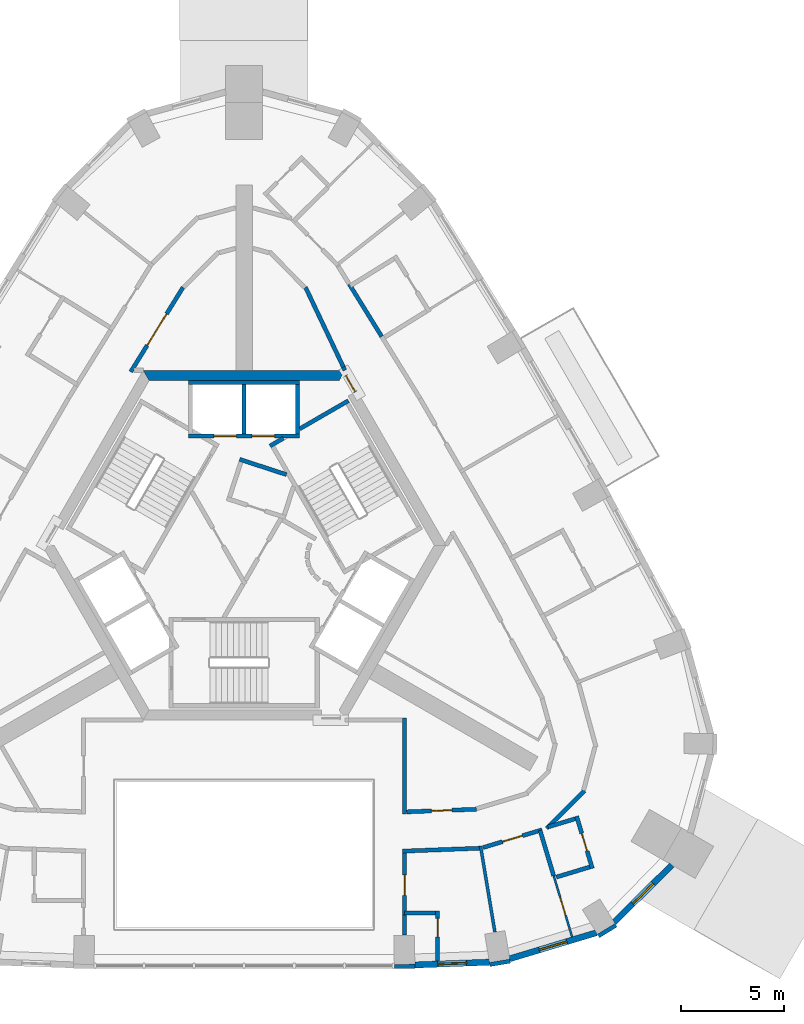
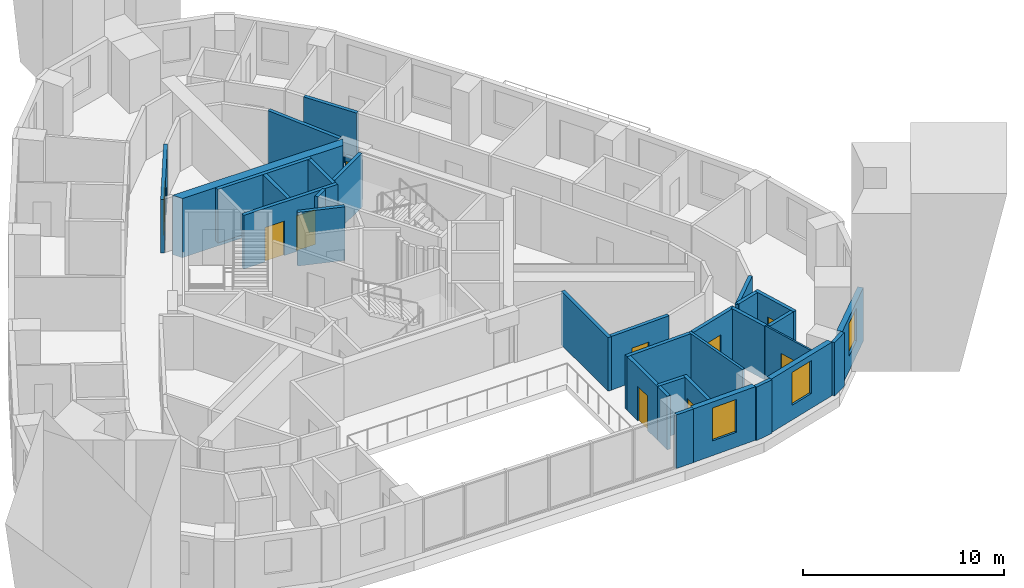
# One storey, part 6 of 11: 34 walls, 10 doors, 3 windows, 13 openings.
"""IFC4 building model written with IfcOpenShell, lengths in metres."""

from ifc_helpers import new_model, si_unit, direction, frame, frame_2d, origin, place, context, subcontext, project, spatial, polyline, rectangle, outline, extrude, material, layer, layer_set, type_object, element, fill, save


model = new_model("IFC4")

# Units and contexts
model_context = context("Model", 3, precision=1e-05, world=origin(), true_north=direction((0.0, 1.0)))
body_context = subcontext(model_context, "Body", "Model", "MODEL_VIEW")
ifc_project = project(units=[si_unit("LENGTHUNIT", "METRE"), si_unit("AREAUNIT", "SQUARE_METRE"), si_unit("VOLUMEUNIT", "CUBIC_METRE"), si_unit("PLANEANGLEUNIT", "RADIAN"), si_unit("MASSUNIT", "GRAM", prefix="KILO")], contexts=[model_context])

# Site, building, storey
site_placement = place(None, origin())
site = spatial("IfcSite", under=ifc_project, at=site_placement, CompositionType="ELEMENT")
building_placement = place(site_placement, origin())
building = spatial("IfcBuilding", under=site, at=building_placement, Name="Entoto Arch Interchange Tower", CompositionType="ELEMENT")
storey_placement = place(building_placement, frame((0.0, 0.0, 297.199951171875)))
storey = spatial("IfcBuildingStorey", under=building, at=storey_placement, Name="L69", CompositionType="ELEMENT", Elevation=297.199951171875)

# Wall, opening, door
ifc_material_1 = material(Name="Reinforced concrete C40/50", Category="concrete")
ifc_layer_1 = layer(ifc_material_1, 0.199951171875)
ifc_layer_set_1 = layer_set([ifc_layer_1], Name="Reinforced concrete C40/50")
wall_type_1 = type_object("IfcWallType", Name="CORE GAP INFILL WALL", PredefinedType="PARTITIONING", material=ifc_layer_set_1)
wall_1_placement = place(storey_placement, frame((5.39892578125, 9.947998046875, 0.0), z_axis=(0.0, 0.0, 1.0), x_axis=(-0.499882215713, 0.866093395895, 0.0)))
wall_1 = element("IfcWall", 1, at=wall_1_placement, inside=storey, type_object=wall_type_1, Name="wall:L69:gap2", PredefinedType="PARTITIONING", context=body_context, shape_type="SweptSolid", body=[
    extrude(rectangle(XDim=0.926025390625, YDim=0.199951171875, at=frame_2d((0.462890625, 0.0))), origin(), (0.0, 0.0, 1.0), 2.400146484375),
])
opening_1_placement = place(wall_1_placement, frame((0.01708984375, 0.0, 0.0)))
opening_1 = element("IfcOpeningElement", 2, at=opening_1_placement, cuts=wall_1, Name="Opening L69-D92", PredefinedType="OPENING", context=body_context, shape_type="SweptSolid", body=[
    extrude(rectangle(XDim=0.89990234375, YDim=2.10009765625, at=frame_2d((0.449951171875, 1.050048828125))), frame((0.0, 0.10986328125, 0.0), z_axis=(0.0, -1.0, 0.0), x_axis=(1.0, 0.0, 0.0)), (0.0, 0.0, 1.0), 0.219970703125),
])
ifc_material_2 = material(Name="Fire-rated Steel S235 door and frame", Category="steel")
door_type_1 = type_object("IfcDoorType", Name="DOOR FD-09 900x2100", OperationType="SINGLE_SWING_LEFT", PredefinedType="DOOR", material=ifc_material_2)
door_1_placement = place(opening_1_placement, origin())
door_1 = element("IfcDoor", 3, at=door_1_placement, inside=storey, type_object=door_type_1, Name="door:L69:gap2", OperationType="SINGLE_SWING_LEFT", OverallHeight=2.10009765625, OverallWidth=0.89990234375, PredefinedType="DOOR", context=body_context, shape_type="SweptSolid", body=[
    extrude(rectangle(XDim=0.89990234375, YDim=2.10009765625, at=frame_2d((0.449951171875, 1.050048828125))), frame((0.0, 0.02490234375, 0.0), z_axis=(0.0, -1.0, 0.0), x_axis=(1.0, 0.0, 0.0)), (0.0, 0.0, 1.0), 0.050048828125),
])
fill(opening_1, door_1)

# Wall
ifc_material_3 = material(Name="Concrete C40/50", Category="concrete")
ifc_layer_2 = layer(ifc_material_3, 0.5)
ifc_layer_set_2 = layer_set([ifc_layer_2], Name="Concrete C40/50")
wall_type_2 = type_object("IfcWallType", Name="Core wall 500 C40/50", PredefinedType="SHEAR", material=ifc_layer_set_2)
wall_2_placement = place(storey_placement, frame((0.0, 0.0, -0.33984375)))
element("IfcWall", 4, at=wall_2_placement, inside=storey, type_object=wall_type_2, Name="Core wall N L69", PredefinedType="SHEAR", context=body_context, shape_type="SweptSolid", body=[
    extrude(outline(polyline([(4.906982421875, 11.0), (-4.906982421875, 11.0), (-4.618896484375, 10.5), (4.618896484375, 10.5), (4.906982421875, 11.0)])), origin(), (0.0, 0.0, 1.0), 3.599853515625),
])

# Wall, openings, doors
ifc_layer_3 = layer(ifc_material_3, 0.199951171875)
ifc_layer_set_3 = layer_set([ifc_layer_3], Name="Concrete C40/50")
wall_type_3 = type_object("IfcWallType", Name="LIFT SHAFT WALL 200", PredefinedType="STANDARD", material=ifc_layer_set_3)
wall_3_placement = place(storey_placement, frame((2.699951171875, 7.800048828125, 0.0), z_axis=(0.0, 0.0, 1.0), x_axis=(-1.0, 0.0, 0.0)))
wall_3 = element("IfcWall", 5, at=wall_3_placement, inside=storey, type_object=wall_type_3, Name="Shaft wall N1 front", PredefinedType="STANDARD", context=body_context, shape_type="SweptSolid", body=[
    extrude(rectangle(XDim=5.39990234375, YDim=0.199951171875, at=frame_2d((2.699951171875, 0.0))), origin(), (0.0, 0.0, 1.0), 3.260009765625),
])
opening_2_placement = place(wall_3_placement, frame((1.22509765625, 0.0, 0.0)))
opening_2 = element("IfcOpeningElement", 6, at=opening_2_placement, cuts=wall_3, Name="Opening LD-HR1-L69", PredefinedType="OPENING", context=body_context, shape_type="SweptSolid", body=[
    extrude(rectangle(XDim=1.10009765625, YDim=2.10009765625, at=frame_2d((0.550048828125, 1.050048828125))), frame((0.0, 0.10986328125, 0.0), z_axis=(0.0, -1.0, 0.0), x_axis=(1.0, 0.0, 0.0)), (0.0, 0.0, 1.0), 0.219970703125),
])
opening_3_placement = place(wall_3_placement, frame((3.074951171875, 0.0, 0.0)))
opening_3 = element("IfcOpeningElement", 7, at=opening_3_placement, cuts=wall_3, Name="Opening LD-HR2-L69", PredefinedType="OPENING", context=body_context, shape_type="SweptSolid", body=[
    extrude(rectangle(XDim=1.10009765625, YDim=2.10009765625, at=frame_2d((0.550048828125, 1.050048828125))), frame((0.0, 0.10986328125, 0.0), z_axis=(0.0, -1.0, 0.0), x_axis=(1.0, 0.0, 0.0)), (0.0, 0.0, 1.0), 0.219970703125),
])
ifc_material_4 = material(Name="Stainless steel 1.4301 panels", Category="steel")
door_type_2 = type_object("IfcDoorType", Name="LIFT LANDING DOOR LD1 1100x2100", OperationType="SLIDING_TO_LEFT", PredefinedType="DOOR", material=ifc_material_4)
door_2_placement = place(opening_2_placement, origin())
door_2 = element("IfcDoor", 8, at=door_2_placement, inside=storey, type_object=door_type_2, Name="Lift landing door HR1 L69", OperationType="SLIDING_TO_LEFT", OverallHeight=2.10009765625, OverallWidth=1.10009765625, PredefinedType="DOOR", context=body_context, shape_type="SweptSolid", body=[
    extrude(rectangle(XDim=1.10009765625, YDim=2.10009765625, at=frame_2d((0.550048828125, 1.050048828125))), frame((0.0, 0.02490234375, 0.0), z_axis=(0.0, -1.0, 0.0), x_axis=(1.0, 0.0, 0.0)), (0.0, 0.0, 1.0), 0.050048828125),
])
fill(opening_2, door_2)
door_3_placement = place(opening_3_placement, origin())
door_3 = element("IfcDoor", 9, at=door_3_placement, inside=storey, type_object=door_type_2, Name="Lift landing door HR2 L69", OperationType="SLIDING_TO_LEFT", OverallHeight=2.10009765625, OverallWidth=1.10009765625, PredefinedType="DOOR", context=body_context, shape_type="SweptSolid", body=[
    extrude(rectangle(XDim=1.10009765625, YDim=2.10009765625, at=frame_2d((0.550048828125, 1.050048828125))), frame((0.0, 0.02490234375, 0.0), z_axis=(0.0, -1.0, 0.0), x_axis=(1.0, 0.0, 0.0)), (0.0, 0.0, 1.0), 0.050048828125),
])
fill(opening_3, door_3)

# Walls
wall_4_placement = place(storey_placement, frame((2.699951171875, 10.39990234375, 0.0), z_axis=(0.0, 0.0, 1.0), x_axis=(-1.0, 0.0, 0.0)))
element("IfcWall", 10, at=wall_4_placement, inside=storey, type_object=wall_type_3, Name="Shaft wall N1 back", PredefinedType="STANDARD", context=body_context, shape_type="SweptSolid", body=[
    extrude(rectangle(XDim=5.39990234375, YDim=0.199951171875, at=frame_2d((2.699951171875, 0.0))), origin(), (0.0, 0.0, 1.0), 3.260009765625),
])
for number, where, z_axis, x_axis, name in (
    (11, (2.60009765625, 7.89990234375, 0.0), (0.0, 0.0, 1.0), (0.0, 1.0, 0.0), "Shaft wall N1 cross 1"),
    (12, (0.0, 7.89990234375, 0.0), (0.0, 0.0, 1.0), (0.0, 1.0, 0.0), "Shaft wall N1 cross 2"),
):
    element("IfcWall", number, at=place(storey_placement, frame(where, z_axis=z_axis, x_axis=x_axis)), inside=storey, type_object=wall_type_3, Name=name, PredefinedType="STANDARD", context=body_context, shape_type="SweptSolid", body=[
        extrude(rectangle(XDim=2.400146484375, YDim=0.199951171875, at=frame_2d((1.2001953125, 0.0))), origin(), (0.0, 0.0, 1.0), 3.260009765625),
    ])

# Wall, opening, door
ifc_material_5 = material(Name="Gypsum board partition on steel studs", Category="steel")
ifc_layer_4 = layer(ifc_material_5, 0.10009765625)
ifc_layer_set_4 = layer_set([ifc_layer_4], Name="Gypsum board partition on steel studs")
wall_type_4 = type_object("IfcWallType", Name="PARTITION 100", PredefinedType="PARTITIONING", material=ifc_layer_set_4)
wall_5_placement = place(storey_placement, frame((15.0400390625, -13.55908203125, 0.0), z_axis=(0.0, 0.0, 1.0), x_axis=(0.288337370875, -0.957528882362, 0.0)))
wall_5 = element("IfcWall", 13, at=wall_5_placement, inside=storey, type_object=wall_type_4, Name="wall:L69:p093", PredefinedType="PARTITIONING", context=body_context, shape_type="SweptSolid", body=[
    extrude(rectangle(XDim=3.1005859375, YDim=0.10009765625, at=frame_2d((1.55029296875, 0.0))), origin(), (0.0, 0.0, 1.0), 3.260009765625),
])
opening_4_placement = place(wall_5_placement, frame((1.10009765625, 0.0, 0.0)))
opening_4 = element("IfcOpeningElement", 14, at=opening_4_placement, cuts=wall_5, Name="Opening L69-D04", PredefinedType="OPENING", context=body_context, shape_type="SweptSolid", body=[
    extrude(rectangle(XDim=0.89990234375, YDim=2.10009765625, at=frame_2d((0.449951171875, 1.050048828125))), frame((0.0, 0.06005859375, 0.0), z_axis=(0.0, -1.0, 0.0), x_axis=(1.0, 0.0, 0.0)), (0.0, 0.0, 1.0), 0.1201171875),
])
ifc_material_6 = material(Name="Timber door leaf in Steel S235 frame", Category="steel")
door_type_3 = type_object("IfcDoorType", Name="DOOR DS-09 900x2100", OperationType="SINGLE_SWING_LEFT", PredefinedType="DOOR", material=ifc_material_6)
door_4_placement = place(opening_4_placement, origin())
door_4 = element("IfcDoor", 15, at=door_4_placement, inside=storey, type_object=door_type_3, Name="door:L69:04", OperationType="SINGLE_SWING_LEFT", OverallHeight=2.10009765625, OverallWidth=0.89990234375, PredefinedType="DOOR", context=body_context, shape_type="SweptSolid", body=[
    extrude(rectangle(XDim=0.89990234375, YDim=2.10009765625, at=frame_2d((0.449951171875, 1.050048828125))), frame((0.0, 0.02490234375, 0.0), z_axis=(0.0, -1.0, 0.0), x_axis=(1.0, 0.0, 0.0)), (0.0, 0.0, 1.0), 0.050048828125),
])
fill(opening_4, door_4)

# Walls
ifc_layer_5 = layer(ifc_material_5, 0.14990234375)
ifc_layer_set_5 = layer_set([ifc_layer_5], Name="Gypsum board partition on steel studs")
wall_type_5 = type_object("IfcWallType", Name="PARTITION 150", PredefinedType="PARTITIONING", material=ifc_layer_set_5)
wall_6_placement = place(storey_placement, frame((11.488037109375, -12.123046875, 0.0), z_axis=(0.0, 0.0, 1.0), x_axis=(0.164174159643, -0.986431368776, 0.0)))
element("IfcWall", 16, at=wall_6_placement, inside=storey, type_object=wall_type_5, Name="wall:L69:p092", PredefinedType="PARTITIONING", context=body_context, shape_type="SweptSolid", body=[
    extrude(rectangle(XDim=4.226318359375, YDim=0.14990234375, at=frame_2d((2.11328125, 0.0))), origin(), (0.0, 0.0, 1.0), 3.260009765625),
])
ifc_layer_6 = layer(ifc_material_5, 0.199951171875)
ifc_layer_set_6 = layer_set([ifc_layer_6], Name="Gypsum board partition on steel studs")
wall_type_6 = type_object("IfcWallType", Name="PARTITION 200", PredefinedType="PARTITIONING", material=ifc_layer_set_6)
wall_7_placement = place(storey_placement, frame((2.06005859375, 5.930908203125, 0.0), z_axis=(0.0, 0.0, 1.0), x_axis=(-0.95092855133, 0.309410552932, 0.0)))
element("IfcWall", 17, at=wall_7_placement, inside=storey, type_object=wall_type_6, Name="wall:L69:p001", PredefinedType="PARTITIONING", context=body_context, shape_type="SweptSolid", body=[
    extrude(rectangle(XDim=2.398681640625, YDim=0.199951171875, at=frame_2d((1.19921875, 0.0))), origin(), (0.0, 0.0, 1.0), 3.260009765625),
])
wall_8_placement = place(storey_placement, frame((4.89599609375, 11.0, 0.0), z_axis=(0.0, 0.0, 1.0), x_axis=(-0.428451014387, 0.903565010539, 0.0)))
element("IfcWall", 18, at=wall_8_placement, inside=storey, type_object=wall_type_6, Name="wall:L69:p005", PredefinedType="PARTITIONING", context=body_context, shape_type="SweptSolid", body=[
    extrude(rectangle(XDim=0.172607421875, YDim=0.199951171875, at=frame_2d((0.08642578125, 0.0))), origin(), (0.0, 0.0, 1.0), 2.400146484375),
])

# Wall, opening, door
wall_9_placement = place(storey_placement, frame((-2.968994140625, 15.032958984375, 0.0), z_axis=(0.0, 0.0, 1.0), x_axis=(-0.526330241425, -0.85028023437, 0.0)))
wall_9 = element("IfcWall", 19, at=wall_9_placement, inside=storey, type_object=wall_type_6, Name="wall:L69:p010", PredefinedType="PARTITIONING", context=body_context, shape_type="SweptSolid", body=[
    extrude(rectangle(XDim=4.827880859375, YDim=0.199951171875, at=frame_2d((2.4140625, 0.0))), origin(), (0.0, 0.0, 1.0), 3.260009765625),
])
opening_5_placement = place(wall_9_placement, frame((1.513916015625, 0.0, 0.0)))
opening_5 = element("IfcOpeningElement", 20, at=opening_5_placement, cuts=wall_9, Name="Opening L69-D27", PredefinedType="OPENING", context=body_context, shape_type="SweptSolid", body=[
    extrude(rectangle(XDim=1.800048828125, YDim=2.10009765625, at=frame_2d((0.89990234375, 1.050048828125))), frame((0.0, 0.10986328125, 0.0), z_axis=(0.0, -1.0, 0.0), x_axis=(1.0, 0.0, 0.0)), (0.0, 0.0, 1.0), 0.219970703125),
])
door_type_4 = type_object("IfcDoorType", Name="DOOR DD-18 1800x2100", OperationType="DOUBLE_DOOR_SINGLE_SWING", PredefinedType="DOOR", material=ifc_material_6)
door_5_placement = place(opening_5_placement, origin())
door_5 = element("IfcDoor", 21, at=door_5_placement, inside=storey, type_object=door_type_4, Name="door:L69:27", OperationType="DOUBLE_DOOR_SINGLE_SWING", OverallHeight=2.10009765625, OverallWidth=1.800048828125, PredefinedType="DOOR", context=body_context, shape_type="SweptSolid", body=[
    extrude(rectangle(XDim=1.800048828125, YDim=2.10009765625, at=frame_2d((0.89990234375, 1.050048828125))), frame((0.0, 0.02490234375, 0.0), z_axis=(0.0, -1.0, 0.0), x_axis=(1.0, 0.0, 0.0)), (0.0, 0.0, 1.0), 0.050048828125),
])
fill(opening_5, door_5)

wall_10_placement = place(storey_placement, frame((7.89990234375, -10.455078125, 0.0), z_axis=(0.0, 0.0, 1.0), x_axis=(0.999297278907, 0.037482640915, 0.0)))
wall_10 = element("IfcWall", 22, at=wall_10_placement, inside=storey, type_object=wall_type_6, Name="wall:L69:p012", PredefinedType="PARTITIONING", context=body_context, shape_type="SweptSolid", body=[
    extrude(rectangle(XDim=3.3935546875, YDim=0.199951171875, at=frame_2d((1.69677734375, 0.0))), origin(), (0.0, 0.0, 1.0), 3.260009765625),
])
opening_6_placement = place(wall_10_placement, frame((1.196044921875, 0.0, 0.0)))
opening_6 = element("IfcOpeningElement", 23, at=opening_6_placement, cuts=wall_10, Name="Opening L69-D25", PredefinedType="OPENING", context=body_context, shape_type="SweptSolid", body=[
    extrude(rectangle(XDim=1.0, YDim=2.10009765625, at=frame_2d((0.5, 1.050048828125))), frame((0.0, 0.10986328125, 0.0), z_axis=(0.0, -1.0, 0.0), x_axis=(1.0, 0.0, 0.0)), (0.0, 0.0, 1.0), 0.219970703125),
])
door_type_5 = type_object("IfcDoorType", Name="DOOR DS-10 1000x2100", OperationType="SINGLE_SWING_LEFT", PredefinedType="DOOR", material=ifc_material_6)
door_6_placement = place(opening_6_placement, origin())
door_6 = element("IfcDoor", 24, at=door_6_placement, inside=storey, type_object=door_type_5, Name="door:L69:25", OperationType="SINGLE_SWING_LEFT", OverallHeight=2.10009765625, OverallWidth=1.0, PredefinedType="DOOR", context=body_context, shape_type="SweptSolid", body=[
    extrude(rectangle(XDim=1.0, YDim=2.10009765625, at=frame_2d((0.5, 1.050048828125))), frame((0.0, 0.02490234375, 0.0), z_axis=(0.0, -1.0, 0.0), x_axis=(1.0, 0.0, 0.0)), (0.0, 0.0, 1.0), 0.050048828125),
])
fill(opening_6, door_6)

# Wall
wall_11_placement = place(storey_placement, frame((11.530029296875, -12.219970703125, 0.0), z_axis=(0.0, 0.0, 1.0), x_axis=(-0.999293554816, -0.037581794833, 0.0)))
element("IfcWall", 25, at=wall_11_placement, inside=storey, type_object=wall_type_6, Name="wall:L69:p031", PredefinedType="PARTITIONING", context=body_context, shape_type="SweptSolid", body=[
    extrude(rectangle(XDim=3.832763671875, YDim=0.199951171875, at=frame_2d((1.91650390625, 0.0))), origin(), (0.0, 0.0, 1.0), 3.260009765625),
])

# Wall, opening, door
wall_12_placement = place(storey_placement, frame((14.472900390625, -11.327880859375, 0.0), z_axis=(0.0, 0.0, 1.0), x_axis=(-0.957599689503, -0.288102125406, 0.0)))
wall_12 = element("IfcWall", 26, at=wall_12_placement, inside=storey, type_object=wall_type_6, Name="wall:L69:p032", PredefinedType="PARTITIONING", context=body_context, shape_type="SweptSolid", body=[
    extrude(rectangle(XDim=2.9990234375, YDim=0.199951171875, at=frame_2d((1.49951171875, 0.0))), origin(), (0.0, 0.0, 1.0), 3.260009765625),
])
opening_7_placement = place(wall_12_placement, frame((1.0, 0.0, 0.0)))
opening_7 = element("IfcOpeningElement", 27, at=opening_7_placement, cuts=wall_12, Name="Opening L69-D03", PredefinedType="OPENING", context=body_context, shape_type="SweptSolid", body=[
    extrude(rectangle(XDim=1.0, YDim=2.10009765625, at=frame_2d((0.5, 1.050048828125))), frame((0.0, 0.10986328125, 0.0), z_axis=(0.0, -1.0, 0.0), x_axis=(1.0, 0.0, 0.0)), (0.0, 0.0, 1.0), 0.219970703125),
])
door_type_6 = type_object("IfcDoorType", Name="DOOR FD-10 1000x2100", OperationType="SINGLE_SWING_LEFT", PredefinedType="DOOR", material=ifc_material_2)
door_7_placement = place(opening_7_placement, origin())
door_7 = element("IfcDoor", 28, at=door_7_placement, inside=storey, type_object=door_type_6, Name="door:L69:03", OperationType="SINGLE_SWING_LEFT", OverallHeight=2.10009765625, OverallWidth=1.0, PredefinedType="DOOR", context=body_context, shape_type="SweptSolid", body=[
    extrude(rectangle(XDim=1.0, YDim=2.10009765625, at=frame_2d((0.5, 1.050048828125))), frame((0.0, 0.02490234375, 0.0), z_axis=(0.0, -1.0, 0.0), x_axis=(1.0, 0.0, 0.0)), (0.0, 0.0, 1.0), 0.050048828125),
])
fill(opening_7, door_7)

# Walls
wall_13_placement = place(storey_placement, frame((16.537109375, -9.43603515625, 0.0), z_axis=(0.0, 0.0, 1.0), x_axis=(-0.710773151724, -0.703421301063, 0.0)))
element("IfcWall", 29, at=wall_13_placement, inside=storey, type_object=wall_type_6, Name="wall:L69:p035", PredefinedType="PARTITIONING", context=body_context, shape_type="SweptSolid", body=[
    extrude(rectangle(XDim=2.59033203125, YDim=0.199951171875, at=frame_2d((1.295166015625, 0.0))), origin(), (0.0, 0.0, 1.0), 3.260009765625),
])
wall_14_placement = place(storey_placement, frame((5.10400390625, 15.193115234375, 0.0), z_axis=(0.0, 0.0, 1.0), x_axis=(0.526329401671, -0.850280754184, 0.0)))
element("IfcWall", 30, at=wall_14_placement, inside=storey, type_object=wall_type_6, Name="wall:L69:p043", PredefinedType="PARTITIONING", context=body_context, shape_type="SweptSolid", body=[
    extrude(rectangle(XDim=3.000244140625, YDim=0.199951171875, at=frame_2d((1.5, 0.0))), origin(), (0.0, 0.0, 1.0), 3.260009765625),
])
wall_15_placement = place(storey_placement, frame((7.800048828125, -5.89892578125, 0.0), z_axis=(0.0, 0.0, 1.0), x_axis=(0.0, -1.0, 0.0)))
element("IfcWall", 31, at=wall_15_placement, inside=storey, type_object=wall_type_6, Name="wall:L69:p076", PredefinedType="PARTITIONING", context=body_context, shape_type="SweptSolid", body=[
    extrude(rectangle(XDim=4.66015625, YDim=0.199951171875, at=frame_2d((2.330078125, 0.0))), origin(), (0.0, 0.0, 1.0), 3.260009765625),
])

# Wall, opening, door
wall_16_placement = place(storey_placement, frame((7.800048828125, -12.4599609375, 0.0), z_axis=(0.0, 0.0, 1.0), x_axis=(0.0, -1.0, 0.0)))
wall_16 = element("IfcWall", 32, at=wall_16_placement, inside=storey, type_object=wall_type_6, Name="wall:L69:p079", PredefinedType="PARTITIONING", context=body_context, shape_type="SweptSolid", body=[
    extrude(rectangle(XDim=3.004150390625, YDim=0.199951171875, at=frame_2d((1.501953125, 0.0))), origin(), (0.0, 0.0, 1.0), 3.260009765625),
])
opening_8_placement = place(wall_16_placement, frame((1.052001953125, 0.0, 0.0)))
opening_8 = element("IfcOpeningElement", 33, at=opening_8_placement, cuts=wall_16, Name="Opening L69-D01", PredefinedType="OPENING", context=body_context, shape_type="SweptSolid", body=[
    extrude(rectangle(XDim=1.0, YDim=2.10009765625, at=frame_2d((0.5, 1.050048828125))), frame((0.0, 0.10986328125, 0.0), z_axis=(0.0, -1.0, 0.0), x_axis=(1.0, 0.0, 0.0)), (0.0, 0.0, 1.0), 0.219970703125),
])
door_8_placement = place(opening_8_placement, origin())
door_8 = element("IfcDoor", 34, at=door_8_placement, inside=storey, type_object=door_type_6, Name="door:L69:01", OperationType="SINGLE_SWING_RIGHT", OverallHeight=2.10009765625, OverallWidth=1.0, PredefinedType="DOOR", context=body_context, shape_type="SweptSolid", body=[
    extrude(rectangle(XDim=1.0, YDim=2.10009765625, at=frame_2d((0.5, 1.050048828125))), frame((0.0, 0.02490234375, 0.0), z_axis=(0.0, -1.0, 0.0), x_axis=(1.0, 0.0, 0.0)), (0.0, 0.0, 1.0), 0.050048828125),
])
fill(opening_8, door_8)

# Wall
wall_17_placement = place(storey_placement, frame((7.800048828125, -15.464111328125, 0.0), z_axis=(0.0, 0.0, 1.0), x_axis=(0.0, -1.0, 0.0)))
element("IfcWall", 35, at=wall_17_placement, inside=storey, type_object=wall_type_6, Name="wall:L69:p080", PredefinedType="PARTITIONING", context=body_context, shape_type="SweptSolid", body=[
    extrude(rectangle(XDim=0.97998046875, YDim=0.199951171875, at=frame_2d((0.489990234375, 0.0))), origin(), (0.0, 0.0, 1.0), 3.260009765625),
])

# Wall, opening, door
wall_18_placement = place(storey_placement, frame((9.39990234375, -17.7041015625, 0.0), z_axis=(0.0, 0.0, 1.0), x_axis=(0.0, 1.0, 0.0)))
wall_18 = element("IfcWall", 36, at=wall_18_placement, inside=storey, type_object=wall_type_6, Name="wall:L69:p090", PredefinedType="PARTITIONING", context=body_context, shape_type="SweptSolid", body=[
    extrude(rectangle(XDim=2.440185546875, YDim=0.199951171875, at=frame_2d((1.22021484375, 0.0))), origin(), (0.0, 0.0, 1.0), 3.260009765625),
])
opening_9_placement = place(wall_18_placement, frame((1.172119140625, 0.0, 0.0)))
opening_9 = element("IfcOpeningElement", 37, at=opening_9_placement, cuts=wall_18, Name="Opening L69-D02", PredefinedType="OPENING", context=body_context, shape_type="SweptSolid", body=[
    extrude(rectangle(XDim=0.89990234375, YDim=2.10009765625, at=frame_2d((0.449951171875, 1.050048828125))), frame((0.0, 0.10986328125, 0.0), z_axis=(0.0, -1.0, 0.0), x_axis=(1.0, 0.0, 0.0)), (0.0, 0.0, 1.0), 0.219970703125),
])
door_9_placement = place(opening_9_placement, origin())
door_9 = element("IfcDoor", 38, at=door_9_placement, inside=storey, type_object=door_type_3, Name="door:L69:02", OperationType="SINGLE_SWING_RIGHT", OverallHeight=2.10009765625, OverallWidth=0.89990234375, PredefinedType="DOOR", context=body_context, shape_type="SweptSolid", body=[
    extrude(rectangle(XDim=0.89990234375, YDim=2.10009765625, at=frame_2d((0.449951171875, 1.050048828125))), frame((0.0, 0.02490234375, 0.0), z_axis=(0.0, -1.0, 0.0), x_axis=(1.0, 0.0, 0.0)), (0.0, 0.0, 1.0), 0.050048828125),
])
fill(opening_9, door_9)

# Walls
wall_19_placement = place(storey_placement, frame((9.300048828125, -15.364013671875, 0.0), z_axis=(0.0, 0.0, 1.0), x_axis=(-1.0, 0.0, 0.0)))
element("IfcWall", 39, at=wall_19_placement, inside=storey, type_object=wall_type_6, Name="wall:L69:p091", PredefinedType="PARTITIONING", context=body_context, shape_type="SweptSolid", body=[
    extrude(rectangle(XDim=1.5, YDim=0.199951171875, at=frame_2d((0.75, 0.0))), origin(), (0.0, 0.0, 1.0), 3.260009765625),
])
wall_20_placement = place(storey_placement, frame((14.3779296875, -11.35693359375, 0.0), z_axis=(0.0, 0.0, 1.0), x_axis=(0.287932252498, -0.957650780802, 0.0)))
element("IfcWall", 40, at=wall_20_placement, inside=storey, type_object=wall_type_6, Name="wall:L69:p094", PredefinedType="PARTITIONING", context=body_context, shape_type="SweptSolid", body=[
    extrude(rectangle(XDim=2.299560546875, YDim=0.199951171875, at=frame_2d((1.14990234375, 0.0))), origin(), (0.0, 0.0, 1.0), 3.260009765625),
])
wall_21_placement = place(storey_placement, frame((15.1650390625, -13.6259765625, 0.0), z_axis=(0.0, 0.0, 1.0), x_axis=(0.957565028189, 0.288217308275, 0.0)))
element("IfcWall", 41, at=wall_21_placement, inside=storey, type_object=wall_type_6, Name="wall:L69:p095", PredefinedType="PARTITIONING", context=body_context, shape_type="SweptSolid", body=[
    extrude(rectangle(XDim=1.699951171875, YDim=0.199951171875, at=frame_2d((0.85009765625, 0.0))), origin(), (0.0, 0.0, 1.0), 3.260009765625),
])

# Wall, opening, door
wall_22_placement = place(storey_placement, frame((16.9169921875, -13.202880859375, 0.0), z_axis=(0.0, 0.0, 1.0), x_axis=(-0.287998855134, 0.957630753183, 0.0)))
wall_22 = element("IfcWall", 42, at=wall_22_placement, inside=storey, type_object=wall_type_6, Name="wall:L69:p096", PredefinedType="PARTITIONING", context=body_context, shape_type="SweptSolid", body=[
    extrude(rectangle(XDim=2.649169921875, YDim=0.199951171875, at=frame_2d((1.32470703125, 0.0))), origin(), (0.0, 0.0, 1.0), 3.260009765625),
])
opening_10_placement = place(wall_22_placement, frame((0.875, 0.0, 0.0)))
opening_10 = element("IfcOpeningElement", 43, at=opening_10_placement, cuts=wall_22, Name="Opening L69-D05", PredefinedType="OPENING", context=body_context, shape_type="SweptSolid", body=[
    extrude(rectangle(XDim=0.89990234375, YDim=2.10009765625, at=frame_2d((0.449951171875, 1.050048828125))), frame((0.0, 0.10986328125, 0.0), z_axis=(0.0, -1.0, 0.0), x_axis=(1.0, 0.0, 0.0)), (0.0, 0.0, 1.0), 0.219970703125),
])
door_10_placement = place(opening_10_placement, origin())
door_10 = element("IfcDoor", 44, at=door_10_placement, inside=storey, type_object=door_type_3, Name="door:L69:05", OperationType="SINGLE_SWING_LEFT", OverallHeight=2.10009765625, OverallWidth=0.89990234375, PredefinedType="DOOR", context=body_context, shape_type="SweptSolid", body=[
    extrude(rectangle(XDim=0.89990234375, YDim=2.10009765625, at=frame_2d((0.449951171875, 1.050048828125))), frame((0.0, 0.02490234375, 0.0), z_axis=(0.0, -1.0, 0.0), x_axis=(1.0, 0.0, 0.0)), (0.0, 0.0, 1.0), 0.050048828125),
])
fill(opening_10, door_10)

# Walls
wall_23_placement = place(storey_placement, frame((16.0869140625, -10.7900390625, 0.0), z_axis=(0.0, 0.0, 1.0), x_axis=(-0.957425655367, -0.288679951581, 0.0)))
element("IfcWall", 45, at=wall_23_placement, inside=storey, type_object=wall_type_6, Name="wall:L69:p097", PredefinedType="PARTITIONING", context=body_context, shape_type="SweptSolid", body=[
    extrude(rectangle(XDim=1.37841796875, YDim=0.199951171875, at=frame_2d((0.689208984375, 0.0))), origin(), (0.0, 0.0, 1.0), 3.260009765625),
])
wall_24_placement = place(storey_placement, frame((4.822021484375, 11.156005859375, 0.0), z_axis=(0.0, 0.0, 1.0), x_axis=(-0.429057973289, 0.903276953961, 0.0)))
element("IfcWall", 46, at=wall_24_placement, inside=storey, type_object=wall_type_6, Name="wall:L69:p005", PredefinedType="PARTITIONING", context=body_context, shape_type="SweptSolid", body=[
    extrude(rectangle(XDim=4.2978515625, YDim=0.199951171875, at=frame_2d((2.14892578125, 0.0))), origin(), (0.0, 0.0, 1.0), 3.260009765625),
])
ifc_layer_7 = layer(ifc_material_3, 0.199951171875)
ifc_layer_set_7 = layer_set([ifc_layer_7], Name="Concrete C40/50")
wall_type_7 = type_object("IfcWallType", Name="STAIR ENCLOSURE WALL 200", PredefinedType="STANDARD", material=ifc_layer_set_7)
wall_25_placement = place(storey_placement, frame((2.699951171875, 8.157958984375, 0.0), z_axis=(0.0, 0.0, 1.0), x_axis=(0.86611865017, 0.499838457731, 0.0)))
element("IfcWall", 47, at=wall_25_placement, inside=storey, type_object=wall_type_7, Name="Stair wall ST-NE far", PredefinedType="STANDARD", context=body_context, shape_type="SweptSolid", body=[
    extrude(rectangle(XDim=2.73291015625, YDim=0.199951171875, at=frame_2d((1.366455078125, 0.0))), origin(), (0.0, 0.0, 1.0), 3.260009765625),
])
wall_26_placement = place(storey_placement, frame((1.256103515625, 7.323974609375, 0.0), z_axis=(0.0, 0.0, 1.0), x_axis=(0.865915093549, 0.500191014278, 0.0)))
element("IfcWall", 48, at=wall_26_placement, inside=storey, type_object=wall_type_7, Name="Stair wall ST-NE far return", PredefinedType="STANDARD", context=body_context, shape_type="SweptSolid", body=[
    extrude(rectangle(XDim=0.751708984375, YDim=0.199951171875, at=frame_2d((0.3759765625, 0.0))), origin(), (0.0, 0.0, 1.0), 3.260009765625),
])

# Wall, opening, window
ifc_material_7 = material(Name="Welded tuff (ignimbrite) cladding, warm buff", Category="masonry")
ifc_layer_8 = layer(ifc_material_7, 0.300048828125)
ifc_layer_set_8 = layer_set([ifc_layer_8], Name="Welded tuff (ignimbrite) cladding, warm buff")
wall_type_8 = type_object("IfcWallType", Name="STONE INFILL WALL 300", PredefinedType="STANDARD", material=ifc_layer_set_8)
wall_27_placement = place(storey_placement, frame((8.2958984375, -17.89501953125, 0.0), z_axis=(0.0, 0.0, 1.0), x_axis=(0.999306787149, 0.037228284377, 0.0)))
wall_27 = element("IfcWall", 49, at=wall_27_placement, inside=storey, type_object=wall_type_8, Name="Facade wall S-03 L69", PredefinedType="STANDARD", context=body_context, shape_type="SweptSolid", body=[
    extrude(rectangle(XDim=3.62646484375, YDim=0.300048828125, at=frame_2d((1.813232421875, 0.0))), origin(), (0.0, 0.0, 1.0), 3.260009765625),
])
opening_11_placement = place(wall_27_placement, frame((1.113037109375, 0.0, 0.89990234375)))
opening_11 = element("IfcOpeningElement", 50, at=opening_11_placement, cuts=wall_27, Name="Opening WH-B", PredefinedType="OPENING", context=body_context, shape_type="SweptSolid", body=[
    extrude(rectangle(XDim=1.39990234375, YDim=2.0, at=frame_2d((0.699951171875, 1.0))), frame((0.0, 0.16015625, 0.0), z_axis=(0.0, -1.0, 0.0), x_axis=(1.0, 0.0, 0.0)), (0.0, 0.0, 1.0), 0.320068359375),
])
ifc_material_8 = material(Name="Clear glass, low-e double glazed", Category="glass")
window_type = type_object("IfcWindowType", Name="WINDOW WH-B 1400x2000", PartitioningType="DOUBLE_PANEL_VERTICAL", PredefinedType="WINDOW", material=ifc_material_8)
window_1_placement = place(opening_11_placement, origin())
window_1 = element("IfcWindow", 51, at=window_1_placement, inside=storey, type_object=window_type, Name="Window WH-B S-03 L69", OverallHeight=2.0, OverallWidth=1.39990234375, PartitioningType="SINGLE_PANEL", PredefinedType="WINDOW", context=body_context, shape_type="SweptSolid", body=[
    extrude(rectangle(XDim=1.39990234375, YDim=2.0, at=frame_2d((0.699951171875, 1.0))), frame((0.0, 0.030029296875, 0.0), z_axis=(0.0, -1.0, 0.0), x_axis=(1.0, 0.0, 0.0)), (0.0, 0.0, 1.0), 0.06005859375),
])
fill(opening_11, window_1)

wall_28_placement = place(storey_placement, frame((12.904052734375, -17.595947265625, 0.0), z_axis=(0.0, 0.0, 1.0), x_axis=(0.957563190743, 0.288223412884, 0.0)))
wall_28 = element("IfcWall", 52, at=wall_28_placement, inside=storey, type_object=wall_type_8, Name="Facade wall SE-01 L69", PredefinedType="STANDARD", context=body_context, shape_type="SweptSolid", body=[
    extrude(rectangle(XDim=4.399658203125, YDim=0.300048828125, at=frame_2d((2.19970703125, 0.0))), origin(), (0.0, 0.0, 1.0), 3.260009765625),
])
opening_12_placement = place(wall_28_placement, frame((1.5, 0.0, 0.89990234375)))
opening_12 = element("IfcOpeningElement", 53, at=opening_12_placement, cuts=wall_28, Name="Opening WH-B", PredefinedType="OPENING", context=body_context, shape_type="SweptSolid", body=[
    extrude(rectangle(XDim=1.39990234375, YDim=2.0, at=frame_2d((0.699951171875, 1.0))), frame((0.0, 0.16015625, 0.0), z_axis=(0.0, -1.0, 0.0), x_axis=(1.0, 0.0, 0.0)), (0.0, 0.0, 1.0), 0.320068359375),
])
window_2_placement = place(opening_12_placement, origin())
window_2 = element("IfcWindow", 54, at=window_2_placement, inside=storey, type_object=window_type, Name="Window WH-B SE-01 L69", OverallHeight=2.0, OverallWidth=1.39990234375, PartitioningType="SINGLE_PANEL", PredefinedType="WINDOW", context=body_context, shape_type="SweptSolid", body=[
    extrude(rectangle(XDim=1.39990234375, YDim=2.0, at=frame_2d((0.699951171875, 1.0))), frame((0.0, 0.030029296875, 0.0), z_axis=(0.0, -1.0, 0.0), x_axis=(1.0, 0.0, 0.0)), (0.0, 0.0, 1.0), 0.06005859375),
])
fill(opening_12, window_2)

wall_29_placement = place(storey_placement, frame((17.97607421875, -15.820068359375, 0.0), z_axis=(0.0, 0.0, 1.0), x_axis=(0.710893699296, 0.703299472701, 0.0)))
wall_29 = element("IfcWall", 55, at=wall_29_placement, inside=storey, type_object=wall_type_8, Name="Facade wall SE-02 L69", PredefinedType="STANDARD", context=body_context, shape_type="SweptSolid", body=[
    extrude(rectangle(XDim=3.954345703125, YDim=0.300048828125, at=frame_2d((1.97705078125, 0.0))), origin(), (0.0, 0.0, 1.0), 3.260009765625),
])
opening_13_placement = place(wall_29_placement, frame((1.277099609375, 0.0, 0.89990234375)))
opening_13 = element("IfcOpeningElement", 56, at=opening_13_placement, cuts=wall_29, Name="Opening WH-B", PredefinedType="OPENING", context=body_context, shape_type="SweptSolid", body=[
    extrude(rectangle(XDim=1.39990234375, YDim=2.0, at=frame_2d((0.699951171875, 1.0))), frame((0.0, 0.16015625, 0.0), z_axis=(0.0, -1.0, 0.0), x_axis=(1.0, 0.0, 0.0)), (0.0, 0.0, 1.0), 0.320068359375),
])
window_3_placement = place(opening_13_placement, origin())
window_3 = element("IfcWindow", 57, at=window_3_placement, inside=storey, type_object=window_type, Name="Window WH-B SE-02 L69", OverallHeight=2.0, OverallWidth=1.39990234375, PartitioningType="SINGLE_PANEL", PredefinedType="WINDOW", context=body_context, shape_type="SweptSolid", body=[
    extrude(rectangle(XDim=1.39990234375, YDim=2.0, at=frame_2d((0.699951171875, 1.0))), frame((0.0, 0.030029296875, 0.0), z_axis=(0.0, -1.0, 0.0), x_axis=(1.0, 0.0, 0.0)), (0.0, 0.0, 1.0), 0.06005859375),
])
fill(opening_13, window_3)

# Walls
ifc_layer_9 = layer(ifc_material_7, 0.199951171875)
ifc_layer_set_9 = layer_set([ifc_layer_9], Name="Welded tuff (ignimbrite) cladding, warm buff")
wall_type_9 = type_object("IfcWallType", Name="STONE PIER CLADDING 200", PredefinedType="STANDARD", material=ifc_layer_set_9)
for number, where, z_axis, x_axis, name in (
    (58, (7.298095703125, -17.97412109375, 0.0), (0.0, 0.0, 1.0), (0.999799669399, 0.020015520725, 0.0), "Stone pier S03 L69"),
    (59, (11.93798828125, -17.875, 0.0), (0.0, 0.0, 1.0), (0.985800545746, 0.167920469293, 0.0), "Stone pier S04 L69"),
):
    element("IfcWall", number, at=place(storey_placement, frame(where, z_axis=z_axis, x_axis=x_axis)), inside=storey, type_object=wall_type_9, Name=name, PredefinedType="STANDARD", context=body_context, shape_type="SweptSolid", body=[
        extrude(rectangle(XDim=1.000244140625, YDim=0.199951171875, at=frame_2d((0.5, 0.0))), origin(), (0.0, 0.0, 1.0), 3.260009765625),
    ])
wall_30_placement = place(storey_placement, frame((17.212890625, -16.487060546875, 0.0), z_axis=(0.0, 0.0, 1.0), x_axis=(0.853679739553, 0.520798331677, 0.0)))
element("IfcWall", 60, at=wall_30_placement, inside=storey, type_object=wall_type_9, Name="Stone pier SE1 L69", PredefinedType="STANDARD", context=body_context, shape_type="SweptSolid", body=[
    extrude(rectangle(XDim=1.00048828125, YDim=0.199951171875, at=frame_2d((0.500244140625, 0.0))), origin(), (0.0, 0.0, 1.0), 3.260009765625),
])

save(model, "model.ifc")
